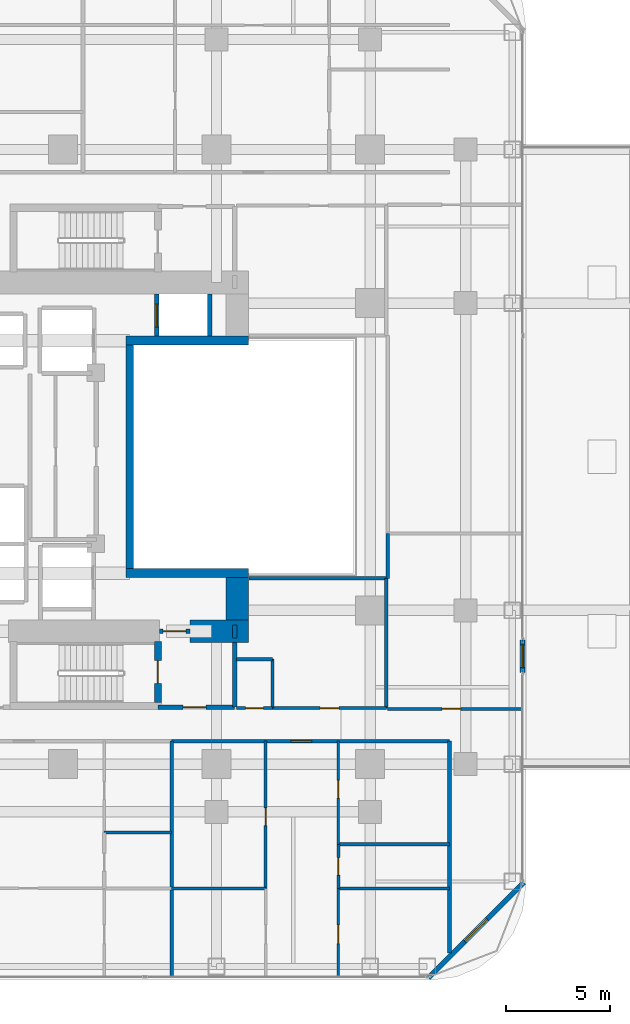
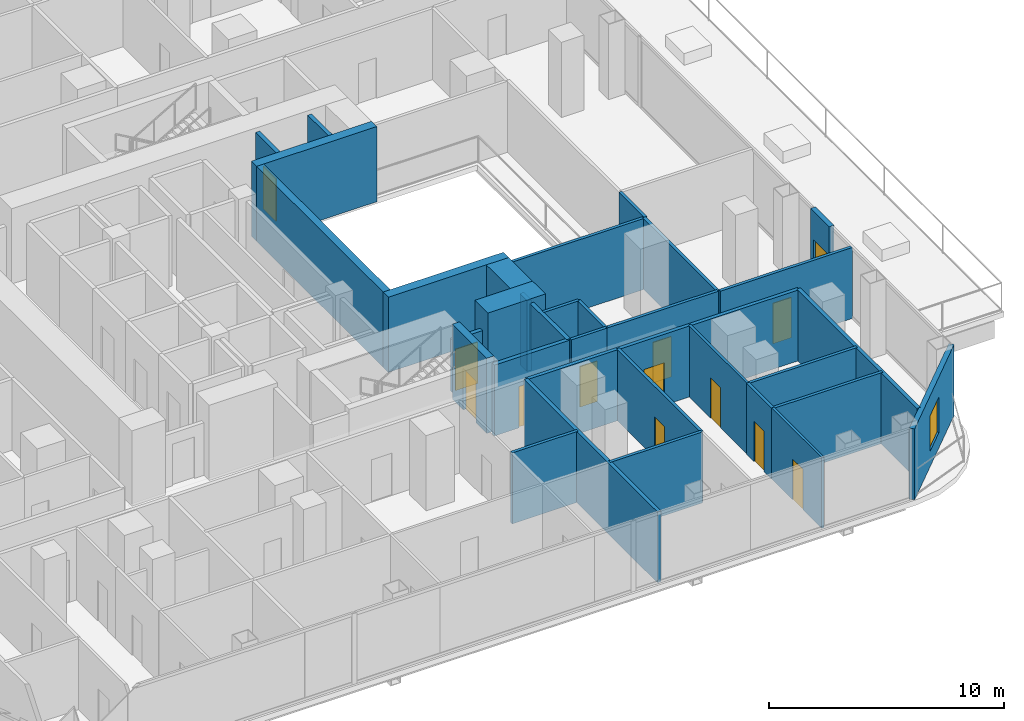
# One storey, part 22 of 29: 33 walls, 13 doors, 1 window, 14 openings.
"""IFC4 building model written with IfcOpenShell, lengths in metres."""

from ifc_helpers import new_model, si_unit, direction, frame, frame_2d, origin, place, context, subcontext, project, spatial, rectangle, extrude, material, layer, layer_set, type_object, element, fill, save


model = new_model("IFC4")

# Units and contexts
model_context = context("Model", 3, precision=1e-05, world=origin(), true_north=direction((0.0, 1.0)))
body_context = subcontext(model_context, "Body", "Model", "MODEL_VIEW")
ifc_project = project(units=[si_unit("LENGTHUNIT", "METRE"), si_unit("AREAUNIT", "SQUARE_METRE"), si_unit("VOLUMEUNIT", "CUBIC_METRE"), si_unit("PLANEANGLEUNIT", "RADIAN"), si_unit("MASSUNIT", "GRAM", prefix="KILO")], contexts=[model_context])

# Site, building, storey
site_placement = place(None, origin())
site = spatial("IfcSite", under=ifc_project, at=site_placement, CompositionType="ELEMENT")
building_placement = place(site_placement, origin())
building = spatial("IfcBuilding", under=site, at=building_placement, Name="Khorvyn Point Tower", CompositionType="ELEMENT")
storey_placement = place(building_placement, frame((0.0, 0.0, 54.0)))
storey = spatial("IfcBuildingStorey", under=building, at=storey_placement, Name="L14", CompositionType="ELEMENT", Elevation=54.0)

# Wall, opening, door
ifc_material_1 = material(Name="Double acoustic gypsum on twin steel stud", Category="steel")
ifc_layer_1 = layer(ifc_material_1, 0.179931640625)
ifc_layer_set_1 = layer_set([ifc_layer_1], Name="Acoustic Double-Stud Apartment Demising Wall 180")
wall_type_1 = type_object("IfcWallType", Name="Acoustic Double-Stud Apartment Demising Wall 180", PredefinedType="PARTITIONING", material=ifc_layer_set_1)
wall_1_placement = place(storey_placement, frame((5.241943359375, -13.699951171875, 0.0), z_axis=(0.0, 0.0, 1.0), x_axis=(1.0, 0.0, 0.0)))
wall_1 = element("IfcWall", 1, at=wall_1_placement, inside=storey, type_object=wall_type_1, Name="Wall", PredefinedType="PARTITIONING", context=body_context, shape_type="SweptSolid", body=[
    extrude(rectangle(XDim=13.378173828125, YDim=0.179931640625, at=frame_2d((6.68896484375, 0.0))), origin(), (0.0, 0.0, 1.0), 3.679931640625),
])
opening_1_placement = place(wall_1_placement, frame((5.739013671875, 0.0, 0.0)))
opening_1 = element("IfcOpeningElement", 2, at=opening_1_placement, cuts=wall_1, Name="Opening ID-AP60", PredefinedType="OPENING", context=body_context, shape_type="SweptSolid", body=[
    extrude(rectangle(XDim=1.0, YDim=2.199951171875, at=frame_2d((0.5, 1.10009765625))), frame((0.0, 0.099853515625, 0.0), z_axis=(0.0, -1.0, 0.0), x_axis=(1.0, 0.0, 0.0)), (0.0, 0.0, 1.0), 0.199951171875),
])
ifc_material_2 = material(Name="Engineered hardwood fire-rated leaf", Category="wood")
door_type_1 = type_object("IfcDoorType", Name="Acoustic Solid-Core Timber Apartment Entrance Door 1000x2200", OperationType="NOTDEFINED", PredefinedType="DOOR", material=ifc_material_2)
door_1_placement = place(opening_1_placement, origin())
door_1 = element("IfcDoor", 3, at=door_1_placement, inside=storey, type_object=door_type_1, Name="Door", OperationType="SINGLE_SWING_RIGHT", OverallHeight=2.199951171875, OverallWidth=1.0, PredefinedType="DOOR", context=body_context, shape_type="SweptSolid", body=[
    extrude(rectangle(XDim=1.0, YDim=2.199951171875, at=frame_2d((0.5, 1.10009765625))), frame((0.0, 0.02490234375, 0.0), z_axis=(0.0, -1.0, 0.0), x_axis=(1.0, 0.0, 0.0)), (0.0, 0.0, 1.0), 0.050048828125),
])
fill(opening_1, door_1)

# Walls
wall_2_placement = place(storey_placement, frame((18.6201171875, -23.909912109375, 0.0), z_axis=(0.0, 0.0, 1.0), x_axis=(0.0, 1.0, 0.0)))
element("IfcWall", 4, at=wall_2_placement, inside=storey, type_object=wall_type_1, Name="Wall", PredefinedType="PARTITIONING", context=body_context, shape_type="SweptSolid", body=[
    extrude(rectangle(XDim=10.2099609375, YDim=0.179931640625, at=frame_2d((5.10498046875, 0.0))), origin(), (0.0, 0.0, 1.0), 3.679931640625),
])
wall_3_placement = place(storey_placement, frame((5.241943359375, -25.030029296875, 0.0), z_axis=(0.0, 0.0, 1.0), x_axis=(0.0, 1.0, 0.0)))
element("IfcWall", 5, at=wall_3_placement, inside=storey, type_object=wall_type_1, Name="Wall", PredefinedType="PARTITIONING", context=body_context, shape_type="SweptSolid", body=[
    extrude(rectangle(XDim=11.330078125, YDim=0.179931640625, at=frame_2d((5.6650390625, 0.0))), origin(), (0.0, 0.0, 1.0), 3.679931640625),
])

# Wall, opening, door
ifc_material_3 = material(Name="Pale anodised aluminium rainscreen on steel stud", Category="steel")
ifc_layer_2 = layer(ifc_material_3, 0.239990234375)
ifc_layer_set_2 = layer_set([ifc_layer_2], Name="Anodised Aluminium Insulated Corner Spandrel Wall 240")
wall_type_2 = type_object("IfcWallType", Name="Anodised Aluminium Insulated Corner Spandrel Wall 240", PredefinedType="SOLIDWALL", material=ifc_layer_set_2)
wall_4_placement = place(storey_placement, frame((22.14990234375, -8.81494140625, 0.0), z_axis=(0.0, 0.0, 1.0), x_axis=(0.0, -1.0, 0.0)))
wall_4 = element("IfcWall", 6, at=wall_4_placement, inside=storey, type_object=wall_type_2, Name="L14 East Outdoor Threshold Wall", PredefinedType="SOLIDWALL", context=body_context, shape_type="SweptSolid", body=[
    extrude(rectangle(XDim=1.580078125, YDim=0.239990234375, at=frame_2d((0.7900390625, 0.0))), origin(), (0.0, 0.0, 1.0), 3.679931640625),
])
opening_2_placement = place(wall_4_placement, frame((0.239990234375, 0.0, 0.0)))
opening_2 = element("IfcOpeningElement", 7, at=opening_2_placement, cuts=wall_4, Name="Opening BD-1122", PredefinedType="OPENING", context=body_context, shape_type="SweptSolid", body=[
    extrude(rectangle(XDim=1.10009765625, YDim=2.199951171875, at=frame_2d((0.550048828125, 1.10009765625))), frame((0.0, 0.1298828125, 0.0), z_axis=(0.0, -1.0, 0.0), x_axis=(1.0, 0.0, 0.0)), (0.0, 0.0, 1.0), 0.260009765625),
])
ifc_material_4 = material(Name="Anodised aluminium 6063-T6 and laminated Low-E glass", Category="aluminium")
door_type_2 = type_object("IfcDoorType", Name="Glazed Balcony and Terrace Threshold Door 1100x2200", OperationType="NOTDEFINED", PredefinedType="DOOR", material=ifc_material_4)
door_2_placement = place(opening_2_placement, origin())
door_2 = element("IfcDoor", 8, at=door_2_placement, inside=storey, type_object=door_type_2, Name="L14 East Terrace Outdoor Door", OperationType="SINGLE_SWING_LEFT", OverallHeight=2.199951171875, OverallWidth=1.10009765625, PredefinedType="DOOR", context=body_context, shape_type="SweptSolid", body=[
    extrude(rectangle(XDim=1.10009765625, YDim=2.199951171875, at=frame_2d((0.550048828125, 1.10009765625))), frame((0.0, 0.02490234375, 0.0), z_axis=(0.0, -1.0, 0.0), x_axis=(1.0, 0.0, 0.0)), (0.0, 0.0, 1.0), 0.050048828125),
])
fill(opening_2, door_2)

# Wall, opening, window
wall_5_placement = place(storey_placement, frame((22.1923828125, -20.507568359375, 0.0), z_axis=(0.0, 0.0, 1.0), x_axis=(-0.707106781187, -0.707106781187, 0.0)))
wall_5 = element("IfcWall", 9, at=wall_5_placement, inside=storey, type_object=wall_type_2, Name="L14 Rounded Corner Wall SE", PredefinedType="SOLIDWALL", context=body_context, shape_type="SweptSolid", body=[
    extrude(rectangle(XDim=6.48388671875, YDim=0.239990234375, at=frame_2d((3.241943359375, 0.0))), origin(), (0.0, 0.0, 1.0), 3.679931640625),
])
opening_3_placement = place(wall_5_placement, frame((2.491943359375, 0.0, 0.800048828125)))
opening_3 = element("IfcOpeningElement", 10, at=opening_3_placement, cuts=wall_5, Name="Opening WN-1518", PredefinedType="OPENING", context=body_context, shape_type="SweptSolid", body=[
    extrude(rectangle(XDim=1.5, YDim=1.85009765625, at=frame_2d((0.75, 0.925048828125))), frame((0.0, 0.1298828125, 0.0), z_axis=(0.0, -1.0, 0.0), x_axis=(1.0, 0.0, 0.0)), (0.0, 0.0, 1.0), 0.260009765625),
])
window_type = type_object("IfcWindowType", Name="Anodised Aluminium Rounded-Corner Panoramic Window 1500x1850", PartitioningType="SINGLE_PANEL", PredefinedType="WINDOW", material=ifc_material_4)
window_placement = place(opening_3_placement, origin())
window = element("IfcWindow", 11, at=window_placement, inside=storey, type_object=window_type, Name="L14 Corner Panoramic Window SE", OverallHeight=1.85009765625, OverallWidth=1.5, PartitioningType="SINGLE_PANEL", PredefinedType="WINDOW", context=body_context, shape_type="SweptSolid", body=[
    extrude(rectangle(XDim=1.5, YDim=1.85009765625, at=frame_2d((0.75, 0.925048828125))), frame((0.0, 0.030029296875, 0.0), z_axis=(0.0, -1.0, 0.0), x_axis=(1.0, 0.0, 0.0)), (0.0, 0.0, 1.0), 0.06005859375),
])
fill(opening_3, window)

# Walls
ifc_material_5 = material(Name="Concrete C40/50", Category="concrete")
ifc_layer_3 = layer(ifc_material_5, 0.449951171875)
ifc_layer_set_3 = layer_set([ifc_layer_3], Name="Concrete C40/50 Core Shear Wall 450")
wall_type_3 = type_object("IfcWallType", Name="Concrete C40/50 Core Shear Wall 450", PredefinedType="SHEAR", material=ifc_layer_set_3)
for number, where, z_axis, x_axis, name in (
    (12, (3.044921875, -5.60009765625, 0.0), (0.0, 0.0, 1.0), (1.0, 0.0, 0.0), "Wall"),
    (13, (3.044921875, 5.60009765625, 0.0), (0.0, 0.0, 1.0), (1.0, 0.0, 0.0), "Wall"),
):
    element("IfcWall", number, at=place(storey_placement, frame(where, z_axis=z_axis, x_axis=x_axis)), inside=storey, type_object=wall_type_3, Name=name, PredefinedType="SHEAR", context=body_context, shape_type="SweptSolid", body=[
        extrude(rectangle(XDim=5.905029296875, YDim=0.449951171875, at=frame_2d((2.95263671875, 0.0))), origin(), (0.0, 0.0, 1.0), 3.89990234375),
    ])

# Wall, opening, door
ifc_layer_4 = layer(ifc_material_5, 0.199951171875)
ifc_layer_set_4 = layer_set([ifc_layer_4], Name="Concrete C40/50 Fire-Lobby Compartment Wall 200")
wall_type_4 = type_object("IfcWallType", Name="Concrete C40/50 Fire-Lobby Compartment Wall 200", PredefinedType="SOLIDWALL", material=ifc_layer_set_4)
wall_6_placement = place(storey_placement, frame((4.580078125, -12.06005859375, 0.0), z_axis=(0.0, 0.0, 1.0), x_axis=(1.0, 0.0, 0.0)))
wall_6 = element("IfcWall", 14, at=wall_6_placement, inside=storey, type_object=wall_type_4, Name="Wall", PredefinedType="SOLIDWALL", context=body_context, shape_type="SweptSolid", body=[
    extrude(rectangle(XDim=3.699951171875, YDim=0.199951171875, at=frame_2d((1.85009765625, 0.0))), origin(), (0.0, 0.0, 1.0), 3.679931640625),
])
opening_4_placement = place(wall_6_placement, frame((1.21240234375, 0.0, 0.0)))
opening_4 = element("IfcOpeningElement", 15, at=opening_4_placement, cuts=wall_6, Name="Opening ID-FL90", PredefinedType="OPENING", context=body_context, shape_type="SweptSolid", body=[
    extrude(rectangle(XDim=1.10009765625, YDim=2.14990234375, at=frame_2d((0.550048828125, 1.074951171875))), frame((0.0, 0.10986328125, 0.0), z_axis=(0.0, -1.0, 0.0), x_axis=(1.0, 0.0, 0.0)), (0.0, 0.0, 1.0), 0.219970703125),
])
ifc_material_6 = material(Name="Galvanised powder-coated steel", Category="steel")
door_type_3 = type_object("IfcDoorType", Name="Fire-Rated Steel Lobby and Stair Door 1100x2150", OperationType="NOTDEFINED", PredefinedType="DOOR", material=ifc_material_6)
door_3_placement = place(opening_4_placement, origin())
door_3 = element("IfcDoor", 16, at=door_3_placement, inside=storey, type_object=door_type_3, Name="Door", OperationType="SINGLE_SWING_LEFT", OverallHeight=2.14990234375, OverallWidth=1.10009765625, PredefinedType="DOOR", context=body_context, shape_type="SweptSolid", body=[
    extrude(rectangle(XDim=1.10009765625, YDim=2.14990234375, at=frame_2d((0.550048828125, 1.074951171875))), frame((0.0, 0.02490234375, 0.0), z_axis=(0.0, -1.0, 0.0), x_axis=(1.0, 0.0, 0.0)), (0.0, 0.0, 1.0), 0.050048828125),
])
fill(opening_4, door_3)

wall_7_placement = place(storey_placement, frame((4.64990234375, -8.39990234375, 0.0), z_axis=(0.0, 0.0, 1.0), x_axis=(1.0, 0.0, 0.0)))
wall_7 = element("IfcWall", 17, at=wall_7_placement, inside=storey, type_object=wall_type_4, Name="Wall", PredefinedType="SOLIDWALL", context=body_context, shape_type="SweptSolid", body=[
    extrude(rectangle(XDim=1.47021484375, YDim=0.199951171875, at=frame_2d((0.735107421875, 0.0))), origin(), (0.0, 0.0, 1.0), 2.719970703125),
])
opening_5_placement = place(wall_7_placement, frame((0.18505859375, 0.0, 0.0)))
opening_5 = element("IfcOpeningElement", 18, at=opening_5_placement, cuts=wall_7, Name="Opening ID-FL90", PredefinedType="OPENING", context=body_context, shape_type="SweptSolid", body=[
    extrude(rectangle(XDim=1.10009765625, YDim=2.14990234375, at=frame_2d((0.550048828125, 1.074951171875))), frame((0.0, 0.10986328125, 0.0), z_axis=(0.0, -1.0, 0.0), x_axis=(1.0, 0.0, 0.0)), (0.0, 0.0, 1.0), 0.219970703125),
])
door_4_placement = place(opening_5_placement, origin())
door_4 = element("IfcDoor", 19, at=door_4_placement, inside=storey, type_object=door_type_3, Name="Door", OperationType="SINGLE_SWING_RIGHT", OverallHeight=2.14990234375, OverallWidth=1.10009765625, PredefinedType="DOOR", context=body_context, shape_type="SweptSolid", body=[
    extrude(rectangle(XDim=1.10009765625, YDim=2.14990234375, at=frame_2d((0.550048828125, 1.074951171875))), frame((0.0, 0.02490234375, 0.0), z_axis=(0.0, -1.0, 0.0), x_axis=(1.0, 0.0, 0.0)), (0.0, 0.0, 1.0), 0.050048828125),
])
fill(opening_5, door_4)

# Walls
wall_8_placement = place(storey_placement, frame((8.280029296875, -12.06005859375, 0.0), z_axis=(0.0, 0.0, 1.0), x_axis=(0.0, 1.0, 0.0)))
element("IfcWall", 20, at=wall_8_placement, inside=storey, type_object=wall_type_4, Name="Wall", PredefinedType="SOLIDWALL", context=body_context, shape_type="SweptSolid", body=[
    extrude(rectangle(XDim=3.110107421875, YDim=0.199951171875, at=frame_2d((1.55517578125, 0.0))), origin(), (0.0, 0.0, 1.0), 3.679931640625),
])
wall_9_placement = place(storey_placement, frame((8.280029296875, -8.72509765625, 0.0), z_axis=(0.0, 0.0, 1.0), x_axis=(0.0, 1.0, 0.0)))
element("IfcWall", 21, at=wall_9_placement, inside=storey, type_object=wall_type_4, Name="Wall", PredefinedType="SOLIDWALL", context=body_context, shape_type="SweptSolid", body=[
    extrude(rectangle(XDim=0.625, YDim=0.199951171875, at=frame_2d((0.3125, 0.0))), origin(), (0.0, 0.0, 1.0), 3.679931640625),
])
ifc_layer_5 = layer(ifc_material_5, 0.35009765625)
ifc_layer_set_5 = layer_set([ifc_layer_5], Name="Concrete C40/50 Stair Shaft Structural Wall 350")
wall_type_5 = type_object("IfcWallType", Name="Concrete C40/50 Stair Shaft Structural Wall 350", PredefinedType="SHEAR", material=ifc_layer_set_5)
wall_10_placement = place(storey_placement, frame((3.219970703125, -5.375, 0.0), z_axis=(0.0, 0.0, 1.0), x_axis=(0.0, 1.0, 0.0)))
element("IfcWall", 22, at=wall_10_placement, inside=storey, type_object=wall_type_5, Name="Wall", PredefinedType="SHEAR", context=body_context, shape_type="SweptSolid", body=[
    extrude(rectangle(XDim=10.75, YDim=0.35009765625, at=frame_2d((5.375, 0.0))), origin(), (0.0, 0.0, 1.0), 3.89990234375),
])

# Wall, opening, door
wall_11_placement = place(storey_placement, frame((4.580078125, -8.89990234375, 0.0), z_axis=(0.0, 0.0, 1.0), x_axis=(0.0, -1.0, 0.0)))
wall_11 = element("IfcWall", 23, at=wall_11_placement, inside=storey, type_object=wall_type_5, Name="L14 ST-01 East Landing Door Wall", PredefinedType="SHEAR", context=body_context, shape_type="SweptSolid", body=[
    extrude(rectangle(XDim=2.925048828125, YDim=0.35009765625, at=frame_2d((1.46240234375, 0.0))), origin(), (0.0, 0.0, 1.0), 3.89990234375),
])
opening_6_placement = place(wall_11_placement, frame((0.91259765625, 0.0, 0.0)))
opening_6 = element("IfcOpeningElement", 24, at=opening_6_placement, cuts=wall_11, Name="Opening ID-FL90", PredefinedType="OPENING", context=body_context, shape_type="SweptSolid", body=[
    extrude(rectangle(XDim=1.10009765625, YDim=2.14990234375, at=frame_2d((0.550048828125, 1.074951171875))), frame((0.0, 0.18505859375, 0.0), z_axis=(0.0, -1.0, 0.0), x_axis=(1.0, 0.0, 0.0)), (0.0, 0.0, 1.0), 0.3701171875),
])
door_5_placement = place(opening_6_placement, origin())
door_5 = element("IfcDoor", 25, at=door_5_placement, inside=storey, type_object=door_type_3, Name="L14 ST-01 Smokeproof Landing Door", OperationType="SINGLE_SWING_RIGHT", OverallHeight=2.14990234375, OverallWidth=1.10009765625, PredefinedType="DOOR", context=body_context, shape_type="SweptSolid", body=[
    extrude(rectangle(XDim=1.10009765625, YDim=2.14990234375, at=frame_2d((0.550048828125, 1.074951171875))), frame((0.0, 0.02490234375, 0.0), z_axis=(0.0, -1.0, 0.0), x_axis=(1.0, 0.0, 0.0)), (0.0, 0.0, 1.0), 0.050048828125),
])
fill(opening_6, door_5)

ifc_layer_6 = layer(ifc_material_5, 0.199951171875)
ifc_layer_set_6 = layer_set([ifc_layer_6], Name="Concrete C40/50 Structural Hoistway and Stair Shaft Wall 200")
wall_type_6 = type_object("IfcWallType", Name="Concrete C40/50 Structural Hoistway and Stair Shaft Wall 200", PredefinedType="SHEAR", material=ifc_layer_set_6)
wall_12_placement = place(storey_placement, frame((4.52490234375, 5.824951171875, 0.0), z_axis=(0.0, 0.0, 1.0), x_axis=(0.0, 1.0, 0.0)))
wall_12 = element("IfcWall", 26, at=wall_12_placement, inside=storey, type_object=wall_type_6, Name="Wall", PredefinedType="SHEAR", context=body_context, shape_type="SweptSolid", body=[
    extrude(rectangle(XDim=2.025146484375, YDim=0.199951171875, at=frame_2d((1.0126953125, 0.0))), origin(), (0.0, 0.0, 1.0), 3.679931640625),
])
opening_7_placement = place(wall_12_placement, frame((0.425048828125, 0.0, 0.0)))
opening_7 = element("IfcOpeningElement", 27, at=opening_7_placement, cuts=wall_12, Name="Opening LD-1122", PredefinedType="OPENING", context=body_context, shape_type="SweptSolid", body=[
    extrude(rectangle(XDim=1.10009765625, YDim=2.199951171875, at=frame_2d((0.550048828125, 1.10009765625))), frame((0.0, 0.10986328125, 0.0), z_axis=(0.0, -1.0, 0.0), x_axis=(1.0, 0.0, 0.0)), (0.0, 0.0, 1.0), 0.219970703125),
])
ifc_material_7 = material(Name="Stainless steel 1.4301", Category="steel")
door_type_4 = type_object("IfcDoorType", Name="Stainless Steel Automatic Sliding Lift Landing Door 1100x2200", OperationType="SLIDING_TO_LEFT", PredefinedType="DOOR", material=ifc_material_7)
door_6_placement = place(opening_7_placement, origin())
door_6 = element("IfcDoor", 28, at=door_6_placement, inside=storey, type_object=door_type_4, Name="L14 FF-02 Sliding Lift Landing Door", OperationType="SLIDING_TO_LEFT", OverallHeight=2.199951171875, OverallWidth=1.10009765625, PredefinedType="DOOR", context=body_context, shape_type="SweptSolid", body=[
    extrude(rectangle(XDim=1.10009765625, YDim=2.199951171875, at=frame_2d((0.550048828125, 1.10009765625))), frame((0.0, 0.02490234375, 0.0), z_axis=(0.0, -1.0, 0.0), x_axis=(1.0, 0.0, 0.0)), (0.0, 0.0, 1.0), 0.050048828125),
])
fill(opening_7, door_6)

# Walls
wall_13_placement = place(storey_placement, frame((7.074951171875, 5.824951171875, 0.0), z_axis=(0.0, 0.0, 1.0), x_axis=(0.0, 1.0, 0.0)))
element("IfcWall", 29, at=wall_13_placement, inside=storey, type_object=wall_type_6, Name="Wall", PredefinedType="SHEAR", context=body_context, shape_type="SweptSolid", body=[
    extrude(rectangle(XDim=2.025146484375, YDim=0.199951171875, at=frame_2d((1.0126953125, 0.0))), origin(), (0.0, 0.0, 1.0), 3.679931640625),
])
ifc_material_8 = material(Name="Concrete C50/60", Category="concrete")
ifc_layer_7 = layer(ifc_material_8, 1.10009765625)
ifc_layer_set_7 = layer_set([ifc_layer_7], Name="Concrete C50/60 Core Shear Wall 1100")
wall_type_7 = type_object("IfcWallType", Name="Concrete C50/60 Core Shear Wall 1100", PredefinedType="SHEAR", material=ifc_layer_set_7)
wall_14_placement = place(storey_placement, frame((6.1201171875, -8.39990234375, 0.0), z_axis=(0.0, 0.0, 1.0), x_axis=(1.0, 0.0, 0.0)))
element("IfcWall", 30, at=wall_14_placement, inside=storey, type_object=wall_type_7, Name="Wall", PredefinedType="SHEAR", context=body_context, shape_type="SweptSolid", body=[
    extrude(rectangle(XDim=2.829833984375, YDim=1.10009765625, at=frame_2d((1.4150390625, 0.0))), origin(), (0.0, 0.0, 1.0), 3.89990234375),
])
wall_15_placement = place(storey_placement, frame((8.39990234375, -7.85009765625, 0.0), z_axis=(0.0, 0.0, 1.0), x_axis=(0.0, 1.0, 0.0)))
element("IfcWall", 31, at=wall_15_placement, inside=storey, type_object=wall_type_7, Name="Wall", PredefinedType="SHEAR", context=body_context, shape_type="SweptSolid", body=[
    extrude(rectangle(XDim=2.025146484375, YDim=1.10009765625, at=frame_2d((1.0126953125, 0.0))), origin(), (0.0, 0.0, 1.0), 3.89990234375),
])

# Wall, opening, door
ifc_material_9 = material(Name="Gypsum plasterboard on steel stud", Category="steel")
ifc_layer_8 = layer(ifc_material_9, 0.1201171875)
ifc_layer_set_8 = layer_set([ifc_layer_8], Name="Gypsum Acoustic Stud Room Partition Wall 120")
wall_type_8 = type_object("IfcWallType", Name="Gypsum Acoustic Stud Room Partition Wall 120", PredefinedType="PARTITIONING", material=ifc_layer_set_8)
wall_16_placement = place(storey_placement, frame((13.26904296875, -18.6630859375, 0.0), z_axis=(0.0, 0.0, 1.0), x_axis=(0.0, 1.0, 0.0)))
wall_16 = element("IfcWall", 32, at=wall_16_placement, inside=storey, type_object=wall_type_8, Name="Wall", PredefinedType="PARTITIONING", context=body_context, shape_type="SweptSolid", body=[
    extrude(rectangle(XDim=4.963134765625, YDim=0.1201171875, at=frame_2d((2.4814453125, 0.0))), origin(), (0.0, 0.0, 1.0), 3.679931640625),
])
opening_8_placement = place(wall_16_placement, frame((2.22900390625, 0.0, 0.0)))
opening_8 = element("IfcOpeningElement", 33, at=opening_8_placement, cuts=wall_16, Name="Opening ID-WC85", PredefinedType="OPENING", context=body_context, shape_type="SweptSolid", body=[
    extrude(rectangle(XDim=0.85009765625, YDim=2.10009765625, at=frame_2d((0.425048828125, 1.050048828125))), frame((0.0, 0.070068359375, 0.0), z_axis=(0.0, -1.0, 0.0), x_axis=(1.0, 0.0, 0.0)), (0.0, 0.0, 1.0), 0.14013671875),
])
ifc_material_10 = material(Name="High-pressure laminate on moisture-resistant core", Category="wood")
door_type_5 = type_object("IfcDoorType", Name="Moisture-Resistant Accessible Washroom Door 850x2100", OperationType="NOTDEFINED", PredefinedType="DOOR", material=ifc_material_10)
door_7_placement = place(opening_8_placement, origin())
door_7 = element("IfcDoor", 34, at=door_7_placement, inside=storey, type_object=door_type_5, Name="Door", OperationType="SINGLE_SWING_RIGHT", OverallHeight=2.10009765625, OverallWidth=0.85009765625, PredefinedType="DOOR", context=body_context, shape_type="SweptSolid", body=[
    extrude(rectangle(XDim=0.85009765625, YDim=2.10009765625, at=frame_2d((0.425048828125, 1.050048828125))), frame((0.0, 0.02490234375, 0.0), z_axis=(0.0, -1.0, 0.0), x_axis=(1.0, 0.0, 0.0)), (0.0, 0.0, 1.0), 0.050048828125),
])
fill(opening_8, door_7)

wall_17_placement = place(storey_placement, frame((13.26904296875, -25.030029296875, 0.0), z_axis=(0.0, 0.0, 1.0), x_axis=(0.0, 1.0, 0.0)))
wall_17 = element("IfcWall", 35, at=wall_17_placement, inside=storey, type_object=wall_type_8, Name="Wall", PredefinedType="PARTITIONING", context=body_context, shape_type="SweptSolid", body=[
    extrude(rectangle(XDim=4.239990234375, YDim=0.1201171875, at=frame_2d((2.1201171875, 0.0))), origin(), (0.0, 0.0, 1.0), 3.679931640625),
])
opening_9_placement = place(wall_17_placement, frame((1.581298828125, 0.0, 0.0)))
opening_9 = element("IfcOpeningElement", 36, at=opening_9_placement, cuts=wall_17, Name="Opening ID-RM90", PredefinedType="OPENING", context=body_context, shape_type="SweptSolid", body=[
    extrude(rectangle(XDim=0.89990234375, YDim=2.10009765625, at=frame_2d((0.449951171875, 1.050048828125))), frame((0.0, 0.070068359375, 0.0), z_axis=(0.0, -1.0, 0.0), x_axis=(1.0, 0.0, 0.0)), (0.0, 0.0, 1.0), 0.14013671875),
])
ifc_material_11 = material(Name="Engineered oak veneer timber", Category="wood")
door_type_6 = type_object("IfcDoorType", Name="Flush Engineered Timber Room Door 900x2100", OperationType="NOTDEFINED", PredefinedType="DOOR", material=ifc_material_11)
door_8_placement = place(opening_9_placement, origin())
door_8 = element("IfcDoor", 37, at=door_8_placement, inside=storey, type_object=door_type_6, Name="Door", OperationType="SINGLE_SWING_LEFT", OverallHeight=2.10009765625, OverallWidth=0.89990234375, PredefinedType="DOOR", context=body_context, shape_type="SweptSolid", body=[
    extrude(rectangle(XDim=0.89990234375, YDim=2.10009765625, at=frame_2d((0.449951171875, 1.050048828125))), frame((0.0, 0.02490234375, 0.0), z_axis=(0.0, -1.0, 0.0), x_axis=(1.0, 0.0, 0.0)), (0.0, 0.0, 1.0), 0.050048828125),
])
fill(opening_9, door_8)

ifc_material_12 = material(Name="Moisture-resistant gypsum and cement board", Category="gypsum")
ifc_layer_9 = layer(ifc_material_12, 0.14990234375)
ifc_layer_set_9 = layer_set([ifc_layer_9], Name="Moisture-Resistant Wet-Room Partition Wall 150")
wall_type_9 = type_object("IfcWallType", Name="Moisture-Resistant Wet-Room Partition Wall 150", PredefinedType="PARTITIONING", material=ifc_layer_set_9)
wall_18_placement = place(storey_placement, frame((8.360107421875, -12.10009765625, 0.0), z_axis=(0.0, 0.0, 1.0), x_axis=(1.0, 0.0, 0.0)))
wall_18 = element("IfcWall", 38, at=wall_18_placement, inside=storey, type_object=wall_type_9, Name="Wall", PredefinedType="PARTITIONING", context=body_context, shape_type="SweptSolid", body=[
    extrude(rectangle(XDim=1.739990234375, YDim=0.14990234375, at=frame_2d((0.8701171875, 0.0))), origin(), (0.0, 0.0, 1.0), 3.679931640625),
])
opening_10_placement = place(wall_18_placement, frame((0.445068359375, 0.0, 0.0)))
opening_10 = element("IfcOpeningElement", 39, at=opening_10_placement, cuts=wall_18, Name="Opening ID-WC85", PredefinedType="OPENING", context=body_context, shape_type="SweptSolid", body=[
    extrude(rectangle(XDim=0.85009765625, YDim=2.10009765625, at=frame_2d((0.425048828125, 1.050048828125))), frame((0.0, 0.0849609375, 0.0), z_axis=(0.0, -1.0, 0.0), x_axis=(1.0, 0.0, 0.0)), (0.0, 0.0, 1.0), 0.169921875),
])
door_9_placement = place(opening_10_placement, origin())
door_9 = element("IfcDoor", 40, at=door_9_placement, inside=storey, type_object=door_type_5, Name="Door", OperationType="SINGLE_SWING_LEFT", OverallHeight=2.10009765625, OverallWidth=0.85009765625, PredefinedType="DOOR", context=body_context, shape_type="SweptSolid", body=[
    extrude(rectangle(XDim=0.85009765625, YDim=2.10009765625, at=frame_2d((0.425048828125, 1.050048828125))), frame((0.0, 0.02490234375, 0.0), z_axis=(0.0, -1.0, 0.0), x_axis=(1.0, 0.0, 0.0)), (0.0, 0.0, 1.0), 0.050048828125),
])
fill(opening_10, door_9)

wall_19_placement = place(storey_placement, frame((10.10009765625, -12.10009765625, 0.0), z_axis=(0.0, 0.0, 1.0), x_axis=(1.0, 0.0, 0.0)))
wall_19 = element("IfcWall", 41, at=wall_19_placement, inside=storey, type_object=wall_type_9, Name="Wall", PredefinedType="PARTITIONING", context=body_context, shape_type="SweptSolid", body=[
    extrude(rectangle(XDim=5.47998046875, YDim=0.14990234375, at=frame_2d((2.739990234375, 0.0))), origin(), (0.0, 0.0, 1.0), 3.679931640625),
])
opening_11_placement = place(wall_19_placement, frame((2.2900390625, 0.0, 0.0)))
opening_11 = element("IfcOpeningElement", 42, at=opening_11_placement, cuts=wall_19, Name="Opening ID-RM90", PredefinedType="OPENING", context=body_context, shape_type="SweptSolid", body=[
    extrude(rectangle(XDim=0.89990234375, YDim=2.10009765625, at=frame_2d((0.449951171875, 1.050048828125))), frame((0.0, 0.0849609375, 0.0), z_axis=(0.0, -1.0, 0.0), x_axis=(1.0, 0.0, 0.0)), (0.0, 0.0, 1.0), 0.169921875),
])
door_10_placement = place(opening_11_placement, origin())
door_10 = element("IfcDoor", 43, at=door_10_placement, inside=storey, type_object=door_type_6, Name="Door", OperationType="SINGLE_SWING_RIGHT", OverallHeight=2.10009765625, OverallWidth=0.89990234375, PredefinedType="DOOR", context=body_context, shape_type="SweptSolid", body=[
    extrude(rectangle(XDim=0.89990234375, YDim=2.10009765625, at=frame_2d((0.449951171875, 1.050048828125))), frame((0.0, 0.02490234375, 0.0), z_axis=(0.0, -1.0, 0.0), x_axis=(1.0, 0.0, 0.0)), (0.0, 0.0, 1.0), 0.050048828125),
])
fill(opening_11, door_10)

wall_20_placement = place(storey_placement, frame((9.763916015625, -20.7900390625, 0.0), z_axis=(0.0, 0.0, 1.0), x_axis=(0.0, 1.0, 0.0)))
wall_20 = element("IfcWall", 44, at=wall_20_placement, inside=storey, type_object=wall_type_9, Name="Wall", PredefinedType="PARTITIONING", context=body_context, shape_type="SweptSolid", body=[
    extrude(rectangle(XDim=7.090087890625, YDim=0.14990234375, at=frame_2d((3.544921875, 0.0))), origin(), (0.0, 0.0, 1.0), 3.679931640625),
])
opening_12_placement = place(wall_20_placement, frame((3.0302734375, 0.0, 0.0)))
opening_12 = element("IfcOpeningElement", 45, at=opening_12_placement, cuts=wall_20, Name="Opening ID-WC85", PredefinedType="OPENING", context=body_context, shape_type="SweptSolid", body=[
    extrude(rectangle(XDim=0.85009765625, YDim=2.10009765625, at=frame_2d((0.425048828125, 1.050048828125))), frame((0.0, 0.0849609375, 0.0), z_axis=(0.0, -1.0, 0.0), x_axis=(1.0, 0.0, 0.0)), (0.0, 0.0, 1.0), 0.169921875),
])
door_11_placement = place(opening_12_placement, origin())
door_11 = element("IfcDoor", 46, at=door_11_placement, inside=storey, type_object=door_type_5, Name="Door", OperationType="SINGLE_SWING_LEFT", OverallHeight=2.10009765625, OverallWidth=0.85009765625, PredefinedType="DOOR", context=body_context, shape_type="SweptSolid", body=[
    extrude(rectangle(XDim=0.85009765625, YDim=2.10009765625, at=frame_2d((0.425048828125, 1.050048828125))), frame((0.0, 0.02490234375, 0.0), z_axis=(0.0, -1.0, 0.0), x_axis=(1.0, 0.0, 0.0)), (0.0, 0.0, 1.0), 0.050048828125),
])
fill(opening_12, door_11)

wall_21_placement = place(storey_placement, frame((13.26904296875, -20.7900390625, 0.0), z_axis=(0.0, 0.0, 1.0), x_axis=(0.0, 1.0, 0.0)))
wall_21 = element("IfcWall", 47, at=wall_21_placement, inside=storey, type_object=wall_type_9, Name="Wall", PredefinedType="PARTITIONING", context=body_context, shape_type="SweptSolid", body=[
    extrude(rectangle(XDim=2.126953125, YDim=0.14990234375, at=frame_2d((1.0634765625, 0.0))), origin(), (0.0, 0.0, 1.0), 3.679931640625),
])
opening_13_placement = place(wall_21_placement, frame((0.638427734375, 0.0, 0.0)))
opening_13 = element("IfcOpeningElement", 48, at=opening_13_placement, cuts=wall_21, Name="Opening ID-WC85", PredefinedType="OPENING", context=body_context, shape_type="SweptSolid", body=[
    extrude(rectangle(XDim=0.85009765625, YDim=2.10009765625, at=frame_2d((0.425048828125, 1.050048828125))), frame((0.0, 0.0849609375, 0.0), z_axis=(0.0, -1.0, 0.0), x_axis=(1.0, 0.0, 0.0)), (0.0, 0.0, 1.0), 0.169921875),
])
door_12_placement = place(opening_13_placement, origin())
door_12 = element("IfcDoor", 49, at=door_12_placement, inside=storey, type_object=door_type_5, Name="Door", OperationType="SINGLE_SWING_LEFT", OverallHeight=2.10009765625, OverallWidth=0.85009765625, PredefinedType="DOOR", context=body_context, shape_type="SweptSolid", body=[
    extrude(rectangle(XDim=0.85009765625, YDim=2.10009765625, at=frame_2d((0.425048828125, 1.050048828125))), frame((0.0, 0.02490234375, 0.0), z_axis=(0.0, -1.0, 0.0), x_axis=(1.0, 0.0, 0.0)), (0.0, 0.0, 1.0), 0.050048828125),
])
fill(opening_13, door_12)

wall_22_placement = place(storey_placement, frame((15.64990234375, -12.139892578125, 0.0), z_axis=(0.0, 0.0, 1.0), x_axis=(1.0, 0.0, 0.0)))
wall_22 = element("IfcWall", 50, at=wall_22_placement, inside=storey, type_object=wall_type_9, Name="Wall", PredefinedType="PARTITIONING", context=body_context, shape_type="SweptSolid", body=[
    extrude(rectangle(XDim=6.47021484375, YDim=0.14990234375, at=frame_2d((3.235107421875, 0.0))), origin(), (0.0, 0.0, 1.0), 3.679931640625),
])
opening_14_placement = place(wall_22_placement, frame((2.610107421875, 0.0, 0.0)))
opening_14 = element("IfcOpeningElement", 51, at=opening_14_placement, cuts=wall_22, Name="Opening ID-RM90", PredefinedType="OPENING", context=body_context, shape_type="SweptSolid", body=[
    extrude(rectangle(XDim=0.89990234375, YDim=2.10009765625, at=frame_2d((0.449951171875, 1.050048828125))), frame((0.0, 0.0849609375, 0.0), z_axis=(0.0, -1.0, 0.0), x_axis=(1.0, 0.0, 0.0)), (0.0, 0.0, 1.0), 0.169921875),
])
door_13_placement = place(opening_14_placement, origin())
door_13 = element("IfcDoor", 52, at=door_13_placement, inside=storey, type_object=door_type_6, Name="Door", OperationType="SINGLE_SWING_RIGHT", OverallHeight=2.10009765625, OverallWidth=0.89990234375, PredefinedType="DOOR", context=body_context, shape_type="SweptSolid", body=[
    extrude(rectangle(XDim=0.89990234375, YDim=2.10009765625, at=frame_2d((0.449951171875, 1.050048828125))), frame((0.0, 0.02490234375, 0.0), z_axis=(0.0, -1.0, 0.0), x_axis=(1.0, 0.0, 0.0)), (0.0, 0.0, 1.0), 0.050048828125),
])
fill(opening_14, door_13)

# Walls
wall_23_placement = place(storey_placement, frame((8.360107421875, -9.75, 0.0), z_axis=(0.0, 0.0, 1.0), x_axis=(1.0, 0.0, 0.0)))
element("IfcWall", 53, at=wall_23_placement, inside=storey, type_object=wall_type_9, Name="Wall", PredefinedType="PARTITIONING", context=body_context, shape_type="SweptSolid", body=[
    extrude(rectangle(XDim=1.739990234375, YDim=0.14990234375, at=frame_2d((0.8701171875, 0.0))), origin(), (0.0, 0.0, 1.0), 3.679931640625),
])
wall_24_placement = place(storey_placement, frame((10.10009765625, -12.10009765625, 0.0), z_axis=(0.0, 0.0, 1.0), x_axis=(0.0, 1.0, 0.0)))
element("IfcWall", 54, at=wall_24_placement, inside=storey, type_object=wall_type_9, Name="Wall", PredefinedType="PARTITIONING", context=body_context, shape_type="SweptSolid", body=[
    extrude(rectangle(XDim=2.35009765625, YDim=0.14990234375, at=frame_2d((1.175048828125, 0.0))), origin(), (0.0, 0.0, 1.0), 3.679931640625),
])
wall_25_placement = place(storey_placement, frame((15.580078125, -12.10009765625, 0.0), z_axis=(0.0, 0.0, 1.0), x_axis=(0.0, 1.0, 0.0)))
element("IfcWall", 55, at=wall_25_placement, inside=storey, type_object=wall_type_9, Name="Wall", PredefinedType="PARTITIONING", context=body_context, shape_type="SweptSolid", body=[
    extrude(rectangle(XDim=6.25, YDim=0.14990234375, at=frame_2d((3.125, 0.0))), origin(), (0.0, 0.0, 1.0), 3.679931640625),
])
wall_26_placement = place(storey_placement, frame((8.9599609375, -5.85009765625, 0.0), z_axis=(0.0, 0.0, 1.0), x_axis=(1.0, 0.0, 0.0)))
element("IfcWall", 56, at=wall_26_placement, inside=storey, type_object=wall_type_9, Name="Wall", PredefinedType="PARTITIONING", context=body_context, shape_type="SweptSolid", body=[
    extrude(rectangle(XDim=6.6201171875, YDim=0.14990234375, at=frame_2d((3.31005859375, 0.0))), origin(), (0.0, 0.0, 1.0), 3.679931640625),
])
wall_27_placement = place(storey_placement, frame((1.993896484375, -18.095947265625, 0.0), z_axis=(0.0, 0.0, 1.0), x_axis=(1.0, 0.0, 0.0)))
element("IfcWall", 57, at=wall_27_placement, inside=storey, type_object=wall_type_9, Name="Wall", PredefinedType="PARTITIONING", context=body_context, shape_type="SweptSolid", body=[
    extrude(rectangle(XDim=3.248046875, YDim=0.14990234375, at=frame_2d((1.6240234375, 0.0))), origin(), (0.0, 0.0, 1.0), 3.679931640625),
])
wall_28_placement = place(storey_placement, frame((5.241943359375, -20.7900390625, 0.0), z_axis=(0.0, 0.0, 1.0), x_axis=(1.0, 0.0, 0.0)))
element("IfcWall", 58, at=wall_28_placement, inside=storey, type_object=wall_type_9, Name="Wall", PredefinedType="PARTITIONING", context=body_context, shape_type="SweptSolid", body=[
    extrude(rectangle(XDim=4.52197265625, YDim=0.14990234375, at=frame_2d((2.260986328125, 0.0))), origin(), (0.0, 0.0, 1.0), 3.679931640625),
])
for number, where, z_axis, x_axis, name in (
    (59, (13.26904296875, -18.6630859375, 0.0), (0.0, 0.0, 1.0), (1.0, 0.0, 0.0), "Wall"),
    (60, (13.26904296875, -20.7900390625, 0.0), (0.0, 0.0, 1.0), (1.0, 0.0, 0.0), "Wall"),
):
    element("IfcWall", number, at=place(storey_placement, frame(where, z_axis=z_axis, x_axis=x_axis)), inside=storey, type_object=wall_type_9, Name=name, PredefinedType="PARTITIONING", context=body_context, shape_type="SweptSolid", body=[
        extrude(rectangle(XDim=5.35107421875, YDim=0.14990234375, at=frame_2d((2.675537109375, 0.0))), origin(), (0.0, 0.0, 1.0), 3.679931640625),
    ])
wall_29_placement = place(storey_placement, frame((15.64990234375, -5.85009765625, 0.0), z_axis=(0.0, 0.0, 1.0), x_axis=(0.0, 1.0, 0.0)))
element("IfcWall", 61, at=wall_29_placement, inside=storey, type_object=wall_type_9, Name="Wall", PredefinedType="PARTITIONING", context=body_context, shape_type="SweptSolid", body=[
    extrude(rectangle(XDim=2.150146484375, YDim=0.14990234375, at=frame_2d((1.0751953125, 0.0))), origin(), (0.0, 0.0, 1.0), 3.679931640625),
])

save(model, "model.ifc")
